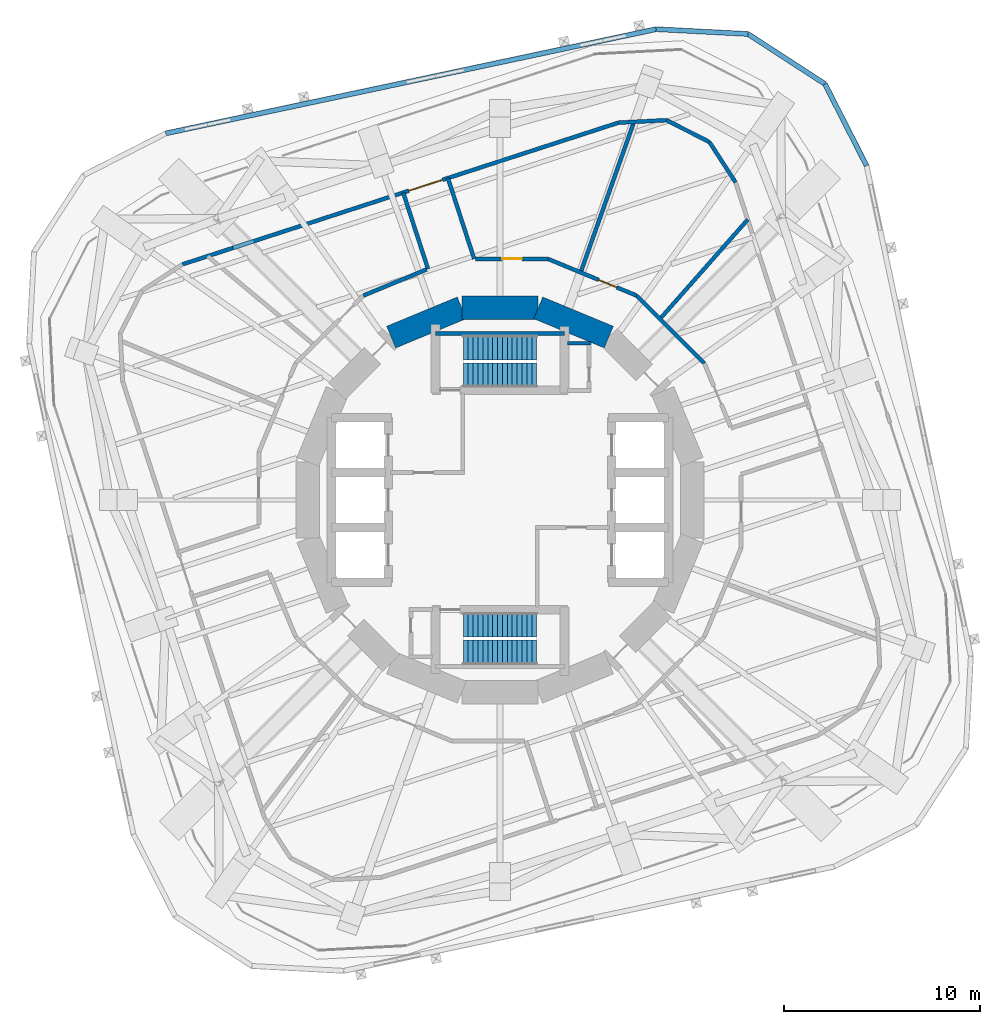
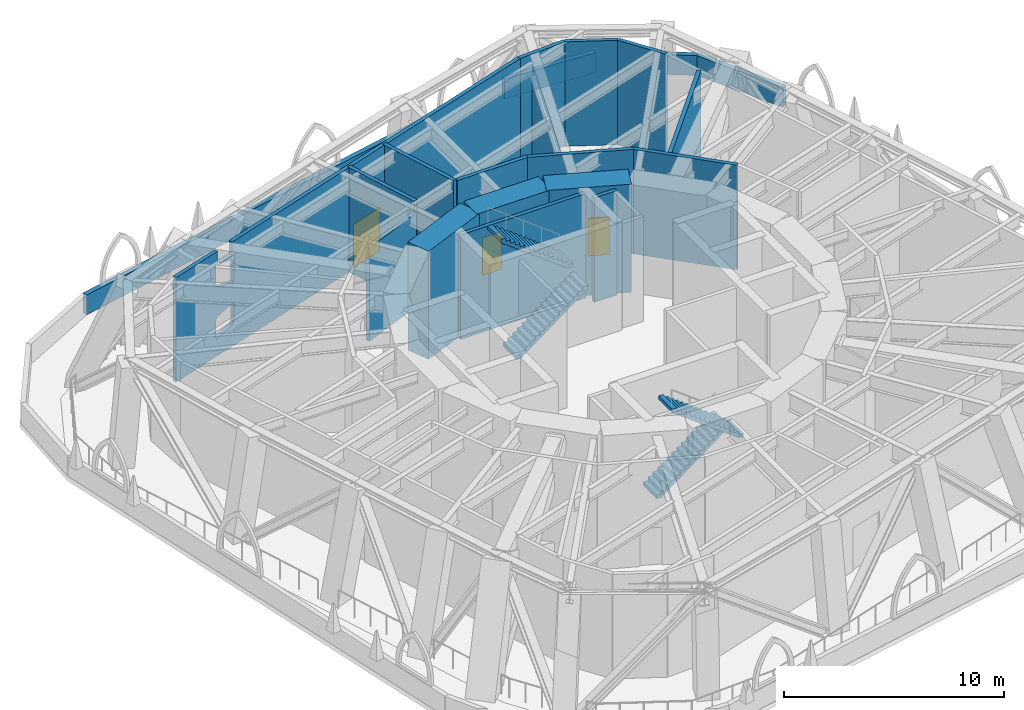
# One storey, part 7 of 11: 21 walls, 4 stair flights, 3 doors, 6 openings, 2 elements without a shape of their own.
"""IFC4 building model written with IfcOpenShell, lengths in metres."""

from ifc_helpers import new_model, si_unit, direction, frame, frame_2d, origin, place, context, subcontext, project, spatial, polyline, rectangle, outline, extrude, material, layer, layer_set, type_object, element, fill, aggregate, save


model = new_model("IFC4")

# Units and contexts
model_context = context("Model", 3, precision=1e-05, world=origin(), true_north=direction((0.0, 1.0)))
body_context = subcontext(model_context, "Body", "Model", "MODEL_VIEW")
ifc_project = project(units=[si_unit("LENGTHUNIT", "METRE"), si_unit("AREAUNIT", "SQUARE_METRE"), si_unit("VOLUMEUNIT", "CUBIC_METRE"), si_unit("PLANEANGLEUNIT", "RADIAN"), si_unit("MASSUNIT", "GRAM", prefix="KILO")], contexts=[model_context])

# Site, building, storey
site_placement = place(None, origin())
site = spatial("IfcSite", under=ifc_project, at=site_placement, CompositionType="ELEMENT")
building_placement = place(site_placement, origin())
building = spatial("IfcBuilding", under=site, at=building_placement, Name="Nakasero Lantern House", CompositionType="ELEMENT")
storey_placement = place(building_placement, frame((0.0, 0.0, 135.800048828125)))
storey = spatial("IfcBuildingStorey", under=building, at=storey_placement, Name="L33", CompositionType="ELEMENT", Elevation=135.800048828125)

# Walls
ifc_material_1 = material(Name="Concrete C50/60", Category="concrete")
ifc_layer_1 = layer(ifc_material_1, 1.199951171875)
ifc_layer_set_1 = layer_set([ifc_layer_1], Name="Core wall 1200")
wall_type_1 = type_object("IfcWallType", Name="Core wall 1200", PredefinedType="SHEAR", material=ifc_layer_set_1)
for number, where, z_axis, x_axis, name in (
    (1, (5.5556640625, 8.314697265625, 0.0), (0.0, 0.0, 1.0), (-0.923876507187, 0.382690736062, 0.0), "Core wall L33 facet 3"),
    (2, (1.950927734375, 9.807861328125, 0.0), (0.0, 0.0, 1.0), (-1.0, 0.0, 0.0), "Core wall L33 facet 4"),
    (3, (-1.950927734375, 9.807861328125, 0.0), (0.0, 0.0, 1.0), (-0.923876507187, -0.382690736062, 0.0), "Core wall L33 facet 5"),
):
    element("IfcWall", number, at=place(storey_placement, frame(where, z_axis=z_axis, x_axis=x_axis)), inside=storey, type_object=wall_type_1, Name=name, PredefinedType="SHEAR", context=body_context, shape_type="SweptSolid", body=[
        extrude(rectangle(XDim=3.90185546875, YDim=1.199951171875, at=frame_2d((1.950927734375, 0.0))), origin(), (0.0, 0.0, 1.0), 6.0),
    ])
ifc_material_2 = material(Name="Blockwork", Category="masonry")
ifc_layer_2 = layer(ifc_material_2, 0.199951171875)
ifc_layer_set_2 = layer_set([ifc_layer_2], Name="Corridor wall 200")
wall_type_2 = type_object("IfcWallType", Name="Corridor wall 200", PredefinedType="PARTITIONING", material=ifc_layer_set_2)
wall_1_placement = place(storey_placement, frame((-6.971923828125, 10.43408203125, 0.0), z_axis=(0.0, 0.0, 1.0), x_axis=(0.923875385554, 0.382693443853, 0.0)))
element("IfcWall", 4, at=wall_1_placement, inside=storey, type_object=wall_type_2, Name="Corridor wall L33 TC11", PredefinedType="PARTITIONING", context=body_context, shape_type="SweptSolid", body=[
    extrude(rectangle(XDim=3.4921875, YDim=0.199951171875, at=frame_2d((1.74609375, 0.0))), origin(), (0.0, 0.0, 1.0), 5.187744140625),
])

# Wall, opening, door
wall_2_placement = place(storey_placement, frame((-1.239013671875, 12.307861328125, 0.0), z_axis=(0.0, 0.0, 1.0), x_axis=(1.0, 0.0, 0.0)))
wall_2 = element("IfcWall", 5, at=wall_2_placement, inside=storey, type_object=wall_type_2, Name="Corridor wall L33 TC12", PredefinedType="PARTITIONING", context=body_context, shape_type="SweptSolid", body=[
    extrude(rectangle(XDim=3.687255859375, YDim=0.199951171875, at=frame_2d((1.84375, 0.0))), origin(), (0.0, 0.0, 1.0), 5.800048828125),
])
opening_1_placement = place(wall_2_placement, frame((1.35009765625, 0.0, 0.0)))
opening_1 = element("IfcOpeningElement", 6, at=opening_1_placement, cuts=wall_2, Name="Opening D13", PredefinedType="OPENING", context=body_context, shape_type="SweptSolid", body=[
    extrude(rectangle(XDim=1.0, YDim=2.10009765625, at=frame_2d((0.5, 1.050048828125))), frame((0.0, 0.119873046875, 0.0), z_axis=(0.0, -1.0, 0.0), x_axis=(1.0, 0.0, 0.0)), (0.0, 0.0, 1.0), 0.239990234375),
])
ifc_material_3 = material(Name="Steel S355", Category="steel")
door_type_1 = type_object("IfcDoorType", Name="Plant room door FD60 1000", OperationType="SINGLE_SWING_LEFT", PredefinedType="DOOR", material=ifc_material_3)
door_1_placement = place(opening_1_placement, origin())
door_1 = element("IfcDoor", 7, at=door_1_placement, inside=storey, type_object=door_type_1, Name="Door L33 TDR02", OperationType="SINGLE_SWING_RIGHT", OverallHeight=2.10009765625, OverallWidth=1.0, PredefinedType="DOOR", context=body_context, shape_type="SweptSolid", body=[
    extrude(rectangle(XDim=1.0, YDim=2.10009765625, at=frame_2d((0.5, 1.050048828125))), frame((0.0, 0.02490234375, 0.0), z_axis=(0.0, -1.0, 0.0), x_axis=(1.0, 0.0, 0.0)), (0.0, 0.0, 1.0), 0.050048828125),
])
fill(opening_1, door_1)

wall_3_placement = place(storey_placement, frame((2.4482421875, 12.307861328125, 0.0), z_axis=(0.0, 0.0, 1.0), x_axis=(0.923878881965, -0.382685002919, 0.0)))
wall_3 = element("IfcWall", 8, at=wall_3_placement, inside=storey, type_object=wall_type_2, Name="Corridor wall L33 TC13", PredefinedType="PARTITIONING", context=body_context, shape_type="SweptSolid", body=[
    extrude(rectangle(XDim=4.896484375, YDim=0.199951171875, at=frame_2d((2.4482421875, 0.0))), origin(), (0.0, 0.0, 1.0), 5.800048828125),
])
opening_2_placement = place(wall_3_placement, frame((2.800048828125, 0.0, 0.0)))
opening_2 = element("IfcOpeningElement", 9, at=opening_2_placement, cuts=wall_3, Name="Opening D13", PredefinedType="OPENING", context=body_context, shape_type="SweptSolid", body=[
    extrude(rectangle(XDim=1.0, YDim=2.10009765625, at=frame_2d((0.5, 1.050048828125))), frame((0.0, 0.119873046875, 0.0), z_axis=(0.0, -1.0, 0.0), x_axis=(1.0, 0.0, 0.0)), (0.0, 0.0, 1.0), 0.239990234375),
])
door_2_placement = place(opening_2_placement, origin())
door_2 = element("IfcDoor", 10, at=door_2_placement, inside=storey, type_object=door_type_1, Name="Door L33 TDR01", OperationType="SINGLE_SWING_RIGHT", OverallHeight=2.10009765625, OverallWidth=1.0, PredefinedType="DOOR", context=body_context, shape_type="SweptSolid", body=[
    extrude(rectangle(XDim=1.0, YDim=2.10009765625, at=frame_2d((0.5, 1.050048828125))), frame((0.0, 0.02490234375, 0.0), z_axis=(0.0, -1.0, 0.0), x_axis=(1.0, 0.0, 0.0)), (0.0, 0.0, 1.0), 0.050048828125),
])
fill(opening_2, door_2)

# Walls
wall_4_placement = place(storey_placement, frame((6.971923828125, 10.43408203125, 0.0), z_axis=(0.0, 0.0, 1.0), x_axis=(0.707106781187, -0.707106781187, 0.0)))
element("IfcWall", 11, at=wall_4_placement, inside=storey, type_object=wall_type_2, Name="Corridor wall L33 TC14", PredefinedType="PARTITIONING", context=body_context, shape_type="SweptSolid", body=[
    extrude(rectangle(XDim=4.896240234375, YDim=0.199951171875, at=frame_2d((2.4482421875, 0.0))), origin(), (0.0, 0.0, 1.0), 5.800048828125),
])
ifc_material_4 = material(Name="Blockwork", Category="masonry")
ifc_layer_3 = layer(ifc_material_4, 0.199951171875)
ifc_layer_set_3 = layer_set([ifc_layer_3], Name="Fire lobby wall 200")
wall_type_3 = type_object("IfcWallType", Name="Fire lobby wall 200", PredefinedType="PARTITIONING", material=ifc_layer_set_3)
wall_5_placement = place(storey_placement, frame((3.449951171875, 8.0, 0.0), z_axis=(0.0, 0.0, 1.0), x_axis=(1.0, 0.0, 0.0)))
element("IfcWall", 12, at=wall_5_placement, inside=storey, type_object=wall_type_3, Name="Fire lobby wall L33 W-RS1N", PredefinedType="PARTITIONING", context=body_context, shape_type="SweptSolid", body=[
    extrude(rectangle(XDim=1.199951171875, YDim=0.199951171875, at=frame_2d((0.60009765625, 0.0))), origin(), (0.0, 0.0, 1.0), 5.800048828125),
])
wall_6_placement = place(storey_placement, frame((-3.300048828125, 8.5, 0.0), z_axis=(0.0, 0.0, 1.0), x_axis=(1.0, 0.0, 0.0)))
element("IfcWall", 13, at=wall_6_placement, inside=storey, type_object=wall_type_3, Name="Fire lobby wall L33 W-STN", PredefinedType="PARTITIONING", context=body_context, shape_type="SweptSolid", body=[
    extrude(rectangle(XDim=6.60009765625, YDim=0.199951171875, at=frame_2d((3.300048828125, 0.0))), origin(), (0.0, 0.0, 1.0), 5.800048828125),
])
wall_7_placement = place(storey_placement, frame((8.16455078125, 9.241455078125, 0.0), z_axis=(0.0, 0.0, 1.0), x_axis=(0.662074854148, 0.749437714227, 0.0)))
element("IfcWall", 14, at=wall_7_placement, inside=storey, type_object=wall_type_3, Name="Fire lobby wall L33 TD00", PredefinedType="PARTITIONING", context=body_context, shape_type="SweptSolid", body=[
    extrude(rectangle(XDim=6.768310546875, YDim=0.199951171875, at=frame_2d((3.38427734375, 0.0))), origin(), (0.0, 0.0, 1.0), 5.800048828125),
])
wall_8_placement = place(storey_placement, frame((4.116943359375, 11.61669921875, 0.0), z_axis=(0.0, 0.0, 1.0), x_axis=(0.334038360808, 0.94255948009, 0.0)))
element("IfcWall", 15, at=wall_8_placement, inside=storey, type_object=wall_type_3, Name="Fire lobby wall L33 TD01", PredefinedType="PARTITIONING", context=body_context, shape_type="SweptSolid", body=[
    extrude(rectangle(XDim=8.153564453125, YDim=0.199951171875, at=frame_2d((4.07666015625, 0.0))), origin(), (0.0, 0.0, 1.0), 4.599853515625),
])
wall_9_placement = place(storey_placement, frame((-3.676025390625, 11.79931640625, 0.0), z_axis=(0.0, 0.0, 1.0), x_axis=(-0.309041554248, 0.951048535958, 0.0)))
element("IfcWall", 16, at=wall_9_placement, inside=storey, type_object=wall_type_3, Name="Fire lobby wall L33 TP1L", PredefinedType="PARTITIONING", context=body_context, shape_type="SweptSolid", body=[
    extrude(rectangle(XDim=4.092041015625, YDim=0.199951171875, at=frame_2d((2.0458984375, 0.0))), origin(), (0.0, 0.0, 1.0), 5.800048828125),
])
wall_10_placement = place(storey_placement, frame((-1.31787109375, 12.307861328125, 0.0), z_axis=(0.0, 0.0, 1.0), x_axis=(-0.309024978252, 0.951053922139, 0.0)))
element("IfcWall", 17, at=wall_10_placement, inside=storey, type_object=wall_type_3, Name="Fire lobby wall L33 TP1R", PredefinedType="PARTITIONING", context=body_context, shape_type="SweptSolid", body=[
    extrude(rectangle(XDim=4.33740234375, YDim=0.199951171875, at=frame_2d((2.168701171875, 0.0))), origin(), (0.0, 0.0, 1.0), 5.800048828125),
])
ifc_material_5 = material(Name="Concrete C35/45", Category="concrete")
ifc_layer_4 = layer(ifc_material_5, 0.25)
ifc_layer_set_4 = layer_set([ifc_layer_4], Name="Parapet 250")
wall_type_4 = type_object("IfcWallType", Name="Parapet 250", PredefinedType="SOLIDWALL", material=ifc_layer_set_4)
for number, where, z_axis, x_axis, name in (
    (18, (18.711181640625, 17.063232421875, 0.0), (0.0, 0.0, 1.0), (-0.453975745332, 0.89101404178, 0.0), "Parapet L33 PP0C1"),
    (19, (16.58447265625, 21.2373046875, 0.0), (0.0, 0.0, 1.0), (-0.838692381994, 0.544605442853, 0.0), "Parapet L33 PP0C2"),
):
    element("IfcWall", number, at=place(storey_placement, frame(where, z_axis=z_axis, x_axis=x_axis)), inside=storey, type_object=wall_type_4, Name=name, PredefinedType="SOLIDWALL", context=body_context, shape_type="SweptSolid", body=[
        extrude(rectangle(XDim=4.6845703125, YDim=0.25, at=frame_2d((2.34228515625, 0.0))), origin(), (0.0, 0.0, 1.0), 1.099853515625),
    ])
wall_11_placement = place(storey_placement, frame((12.655517578125, 23.78857421875, 0.0), z_axis=(0.0, 0.0, 1.0), x_axis=(-0.998630039879, 0.052326317, 0.0)))
element("IfcWall", 20, at=wall_11_placement, inside=storey, type_object=wall_type_4, Name="Parapet L33 PP0C3", PredefinedType="SOLIDWALL", context=body_context, shape_type="SweptSolid", body=[
    extrude(rectangle(XDim=4.684326171875, YDim=0.25, at=frame_2d((2.34228515625, 0.0))), origin(), (0.0, 0.0, 1.0), 1.099853515625),
])
wall_12_placement = place(storey_placement, frame((7.9775390625, 24.03369140625, 0.0), z_axis=(0.0, 0.0, 1.0), x_axis=(-0.978148160964, -0.207909055127, 0.0)))
element("IfcWall", 21, at=wall_12_placement, inside=storey, type_object=wall_type_4, Name="Parapet L33 PP1S", PredefinedType="SOLIDWALL", context=body_context, shape_type="SweptSolid", body=[
    extrude(rectangle(XDim=25.60009765625, YDim=0.25, at=frame_2d((12.800048828125, 0.0))), origin(), (0.0, 0.0, 1.0), 1.099853515625),
])
ifc_material_6 = material(Name="Aluminium louvre on blockwork", Category="masonry")
ifc_layer_5 = layer(ifc_material_6, 0.199951171875)
ifc_layer_set_5 = layer_set([ifc_layer_5], Name="Plant enclosure wall 200")
wall_type_5 = type_object("IfcWallType", Name="Plant enclosure wall 200", PredefinedType="SOLIDWALL", material=ifc_layer_set_5)
for number, where, z_axis, x_axis, name in (
    (22, (12.029296875, 16.210693359375, 0.0), (0.0, 0.0, 1.0), (-0.544646261464, 0.83866587499, 0.0), "Plant enclosure wall L33 EN0C1"),
    (23, (10.690185546875, 18.272705078125, 0.0), (0.0, 0.0, 1.0), (-0.89096522491, 0.454071545025, 0.0), "Plant enclosure wall L33 EN0C2"),
):
    element("IfcWall", number, at=place(storey_placement, frame(where, z_axis=z_axis, x_axis=x_axis)), inside=storey, type_object=wall_type_5, Name=name, PredefinedType="SOLIDWALL", context=body_context, shape_type="SweptSolid", body=[
        extrude(rectangle(XDim=2.458740234375, YDim=0.199951171875, at=frame_2d((1.2294921875, 0.0))), origin(), (0.0, 0.0, 1.0), 5.800048828125),
    ])
wall_13_placement = place(storey_placement, frame((8.49951171875, 19.38916015625, 0.0), z_axis=(0.0, 0.0, 1.0), x_axis=(-0.998630144123, -0.052324327496, 0.0)))
element("IfcWall", 24, at=wall_13_placement, inside=storey, type_object=wall_type_5, Name="Plant enclosure wall L33 EN0C3", PredefinedType="SOLIDWALL", context=body_context, shape_type="SweptSolid", body=[
    extrude(rectangle(XDim=2.458984375, YDim=0.199951171875, at=frame_2d((1.2294921875, 0.0))), origin(), (0.0, 0.0, 1.0), 5.800048828125),
])

# Wall, openings, door
wall_14_placement = place(storey_placement, frame((6.0439453125, 19.260498046875, 0.0), z_axis=(0.0, 0.0, 1.0), x_axis=(-0.951053618334, -0.30902591324, 0.0)))
wall_14 = element("IfcWall", 25, at=wall_14_placement, inside=storey, type_object=wall_type_5, Name="Plant enclosure wall L33 1", PredefinedType="SOLIDWALL", context=body_context, shape_type="SweptSolid", body=[
    extrude(rectangle(XDim=23.39990234375, YDim=0.199951171875, at=frame_2d((11.699951171875, 0.0))), origin(), (0.0, 0.0, 1.0), 5.800048828125),
])
opening_3_placement = place(wall_14_placement, frame((9.449951171875, 0.0, 0.0)))
opening_3 = element("IfcOpeningElement", 26, at=opening_3_placement, cuts=wall_14, Name="Opening D11", PredefinedType="OPENING", context=body_context, shape_type="SweptSolid", body=[
    extrude(rectangle(XDim=1.800048828125, YDim=2.39990234375, at=frame_2d((0.89990234375, 1.199951171875))), frame((0.0, 0.119873046875, 0.0), z_axis=(0.0, -1.0, 0.0), x_axis=(1.0, 0.0, 0.0)), (0.0, 0.0, 1.0), 0.239990234375),
])
opening_4_placement = place(wall_14_placement, origin())
element("IfcOpeningElement", 27, at=opening_4_placement, cuts=wall_14, Name="Penetration L33/EN1S/PEN0", PredefinedType="OPENING", context=body_context, shape_type="SweptSolid", body=[
    extrude(outline(polyline([(19.4755859375, 1.329833984375), (19.602294921875, 1.199462890625), (20.687744140625, 0.96923828125), (20.687744140625, 2.044677734375), (20.56103515625, 2.175048828125), (19.4755859375, 2.4052734375), (19.4755859375, 1.329833984375)])), frame((0.0, 0.119873046875, 0.0), z_axis=(0.0, -1.0, 0.0), x_axis=(1.0, 0.0, 0.0)), (0.0, 0.0, 1.0), 0.239990234375),
])
opening_5_placement = place(wall_14_placement, origin())
element("IfcOpeningElement", 28, at=opening_5_placement, cuts=wall_14, Name="Penetration L33/EN1S/PEN1", PredefinedType="OPENING", context=body_context, shape_type="SweptSolid", body=[
    extrude(outline(polyline([(20.687744140625, 3.987060546875), (20.687744140625, 4.671142578125), (19.4853515625, 4.671142578125), (19.4755859375, 4.658203125), (19.4755859375, 3.522216796875), (20.565673828125, 3.823486328125), (20.687744140625, 3.987060546875)])), frame((0.0, 0.119873046875, 0.0), z_axis=(0.0, -1.0, 0.0), x_axis=(1.0, 0.0, 0.0)), (0.0, 0.0, 1.0), 0.239990234375),
])
opening_6_placement = place(wall_14_placement, origin())
element("IfcOpeningElement", 29, at=opening_6_placement, cuts=wall_14, Name="Penetration L33/EN1S/PEN2", PredefinedType="OPENING", context=body_context, shape_type="SweptSolid", body=[
    extrude(outline(polyline([(19.587890625, 5.050048828125), (20.423095703125, 5.050048828125), (19.59765625, 4.82177734375), (19.4755859375, 4.658203125), (19.4755859375, 4.651123046875), (20.687744140625, 4.651123046875), (20.687744140625, 5.123046875), (20.575439453125, 5.092041015625), (20.575439453125, 5.800048828125), (19.587890625, 5.800048828125), (19.587890625, 5.050048828125)])), frame((0.0, 0.119873046875, 0.0), z_axis=(0.0, -1.0, 0.0), x_axis=(1.0, 0.0, 0.0)), (0.0, 0.0, 1.0), 0.239990234375),
])
ifc_material_7 = material(Name="Steel S355", Category="steel")
door_type_2 = type_object("IfcDoorType", Name="Plant room doors 1800x2400", OperationType="DOUBLE_DOOR_SINGLE_SWING", PredefinedType="DOOR", material=ifc_material_7)
door_3_placement = place(opening_3_placement, origin())
door_3 = element("IfcDoor", 30, at=door_3_placement, inside=storey, type_object=door_type_2, Name="Refuge door L33 1", OperationType="DOUBLE_DOOR_SINGLE_SWING", OverallHeight=2.39990234375, OverallWidth=1.800048828125, PredefinedType="DOOR", context=body_context, shape_type="SweptSolid", body=[
    extrude(rectangle(XDim=1.800048828125, YDim=2.39990234375, at=frame_2d((0.89990234375, 1.199951171875))), frame((0.0, 0.02490234375, 0.0), z_axis=(0.0, -1.0, 0.0), x_axis=(1.0, 0.0, 0.0)), (0.0, 0.0, 1.0), 0.050048828125),
])
fill(opening_3, door_3)

# Stair, stair flights
ifc_material_8 = material(Name="Concrete C40/50", Category="concrete")
stair_type_1 = type_object("IfcStairType", Name="Escape stair ST1 32 risers", PredefinedType="HALF_TURN_STAIR", material=ifc_material_8)
stair_1_placement = place(storey_placement, origin())
stair_1 = element("IfcStair", 31, at=stair_1_placement, inside=storey, type_object=stair_type_1, Name="Escape stair ST1 L33", PredefinedType="HALF_TURN_STAIR")
ifc_material_9 = material(Name="Concrete C40/50", Category="concrete")
stair_flight_type = type_object("IfcStairFlightType", Name="Escape stair flight", PredefinedType="STRAIGHT", material=ifc_material_9)
stair_flight_1_placement = place(storey_placement, frame((-1.875, 6.375, 0.0), z_axis=(0.0, 0.0, 1.0), x_axis=(1.0, 0.0, 0.0)))
stair_flight_1 = element("IfcStairFlight", 32, at=stair_flight_1_placement, type_object=stair_flight_type, Name="ST1 flight 1", NumberOfRisers=16, NumberOfTreads=15, PredefinedType="STRAIGHT", RiserHeight=0.1875, TreadLength=0.25, context=body_context, shape_type="SweptSolid", body=[
    extrude(outline(polyline([(0.0, 0.0), (0.0, 0.1875), (0.25, 0.1875), (0.25, 0.375), (0.5, 0.375), (0.5, 0.5625), (0.75, 0.5625), (0.75, 0.75), (1.0, 0.75), (1.0, 0.9375), (1.25, 0.9375), (1.25, 1.125), (1.5, 1.125), (1.5, 1.3125), (1.75, 1.3125), (1.75, 1.5), (2.0, 1.5), (2.0, 1.6875), (2.25, 1.6875), (2.25, 1.875), (2.5, 1.875), (2.5, 2.0625), (2.75, 2.0625), (2.75, 2.25), (3.0, 2.25), (3.0, 2.4375), (3.25, 2.4375), (3.25, 2.625), (3.5, 2.625), (3.5, 2.8125), (3.75, 2.8125), (3.75, 3.0), (3.75, 2.625), (0.249755859375, 0.0), (0.0, 0.0)])), frame((0.0, 0.625, 0.0), z_axis=(0.0, -1.0, 0.0), x_axis=(1.0, 0.0, 0.0)), (0.0, 0.0, 1.0), 1.25),
])
stair_flight_2_placement = place(storey_placement, frame((1.875, 7.77490234375, 3.0), z_axis=(0.0, 0.0, 1.0), x_axis=(-1.0, 0.0, 0.0)))
stair_flight_2 = element("IfcStairFlight", 33, at=stair_flight_2_placement, type_object=stair_flight_type, Name="ST1 flight 2", NumberOfRisers=16, NumberOfTreads=15, PredefinedType="STRAIGHT", RiserHeight=0.1875, TreadLength=0.25, context=body_context, shape_type="SweptSolid", body=[
    extrude(outline(polyline([(0.0, 0.0), (0.0, 0.1875), (0.25, 0.1875), (0.25, 0.375), (0.5, 0.375), (0.5, 0.5625), (0.75, 0.5625), (0.75, 0.75), (1.0, 0.75), (1.0, 0.9375), (1.25, 0.9375), (1.25, 1.125), (1.5, 1.125), (1.5, 1.3125), (1.75, 1.3125), (1.75, 1.5), (2.0, 1.5), (2.0, 1.6875), (2.25, 1.6875), (2.25, 1.875), (2.5, 1.875), (2.5, 2.0625), (2.75, 2.0625), (2.75, 2.25), (3.0, 2.25), (3.0, 2.4375), (3.25, 2.4375), (3.25, 2.625), (3.5, 2.625), (3.5, 2.8125), (3.75, 2.8125), (3.75, 3.0), (3.75, 2.625), (0.249755859375, 0.0), (0.0, 0.0)])), frame((0.0, 0.625, 0.0), z_axis=(0.0, -1.0, 0.0), x_axis=(1.0, 0.0, 0.0)), (0.0, 0.0, 1.0), 1.25),
])
aggregate(stair_1, [stair_flight_1, stair_flight_2])

ifc_material_10 = material(Name="Concrete C40/50", Category="concrete")
stair_type_2 = type_object("IfcStairType", Name="Escape stair ST2 32 risers", PredefinedType="HALF_TURN_STAIR", material=ifc_material_10)
stair_2_placement = place(storey_placement, origin())
stair_2 = element("IfcStair", 34, at=stair_2_placement, inside=storey, type_object=stair_type_2, Name="Escape stair ST2 L33", PredefinedType="HALF_TURN_STAIR")
stair_flight_3_placement = place(storey_placement, frame((-1.875, -6.375, 0.0), z_axis=(0.0, 0.0, 1.0), x_axis=(1.0, 0.0, 0.0)))
stair_flight_3 = element("IfcStairFlight", 35, at=stair_flight_3_placement, type_object=stair_flight_type, Name="ST2 flight 1", NumberOfRisers=16, NumberOfTreads=15, PredefinedType="STRAIGHT", RiserHeight=0.1875, TreadLength=0.25, context=body_context, shape_type="SweptSolid", body=[
    extrude(outline(polyline([(0.0, 0.0), (0.0, 0.1875), (0.25, 0.1875), (0.25, 0.375), (0.5, 0.375), (0.5, 0.5625), (0.75, 0.5625), (0.75, 0.75), (1.0, 0.75), (1.0, 0.9375), (1.25, 0.9375), (1.25, 1.125), (1.5, 1.125), (1.5, 1.3125), (1.75, 1.3125), (1.75, 1.5), (2.0, 1.5), (2.0, 1.6875), (2.25, 1.6875), (2.25, 1.875), (2.5, 1.875), (2.5, 2.0625), (2.75, 2.0625), (2.75, 2.25), (3.0, 2.25), (3.0, 2.4375), (3.25, 2.4375), (3.25, 2.625), (3.5, 2.625), (3.5, 2.8125), (3.75, 2.8125), (3.75, 3.0), (3.75, 2.625), (0.249755859375, 0.0), (0.0, 0.0)])), frame((0.0, 0.625, 0.0), z_axis=(0.0, -1.0, 0.0), x_axis=(1.0, 0.0, 0.0)), (0.0, 0.0, 1.0), 1.25),
])
stair_flight_4_placement = place(storey_placement, frame((1.875, -7.77490234375, 3.0), z_axis=(0.0, 0.0, 1.0), x_axis=(-1.0, 0.0, 0.0)))
stair_flight_4 = element("IfcStairFlight", 36, at=stair_flight_4_placement, type_object=stair_flight_type, Name="ST2 flight 2", NumberOfRisers=16, NumberOfTreads=15, PredefinedType="STRAIGHT", RiserHeight=0.1875, TreadLength=0.25, context=body_context, shape_type="SweptSolid", body=[
    extrude(outline(polyline([(0.0, 0.0), (0.0, 0.1875), (0.25, 0.1875), (0.25, 0.375), (0.5, 0.375), (0.5, 0.5625), (0.75, 0.5625), (0.75, 0.75), (1.0, 0.75), (1.0, 0.9375), (1.25, 0.9375), (1.25, 1.125), (1.5, 1.125), (1.5, 1.3125), (1.75, 1.3125), (1.75, 1.5), (2.0, 1.5), (2.0, 1.6875), (2.25, 1.6875), (2.25, 1.875), (2.5, 1.875), (2.5, 2.0625), (2.75, 2.0625), (2.75, 2.25), (3.0, 2.25), (3.0, 2.4375), (3.25, 2.4375), (3.25, 2.625), (3.5, 2.625), (3.5, 2.8125), (3.75, 2.8125), (3.75, 3.0), (3.75, 2.625), (0.249755859375, 0.0), (0.0, 0.0)])), frame((0.0, 0.625, 0.0), z_axis=(0.0, -1.0, 0.0), x_axis=(1.0, 0.0, 0.0)), (0.0, 0.0, 1.0), 1.25),
])
aggregate(stair_2, [stair_flight_3, stair_flight_4])

save(model, "model.ifc")
